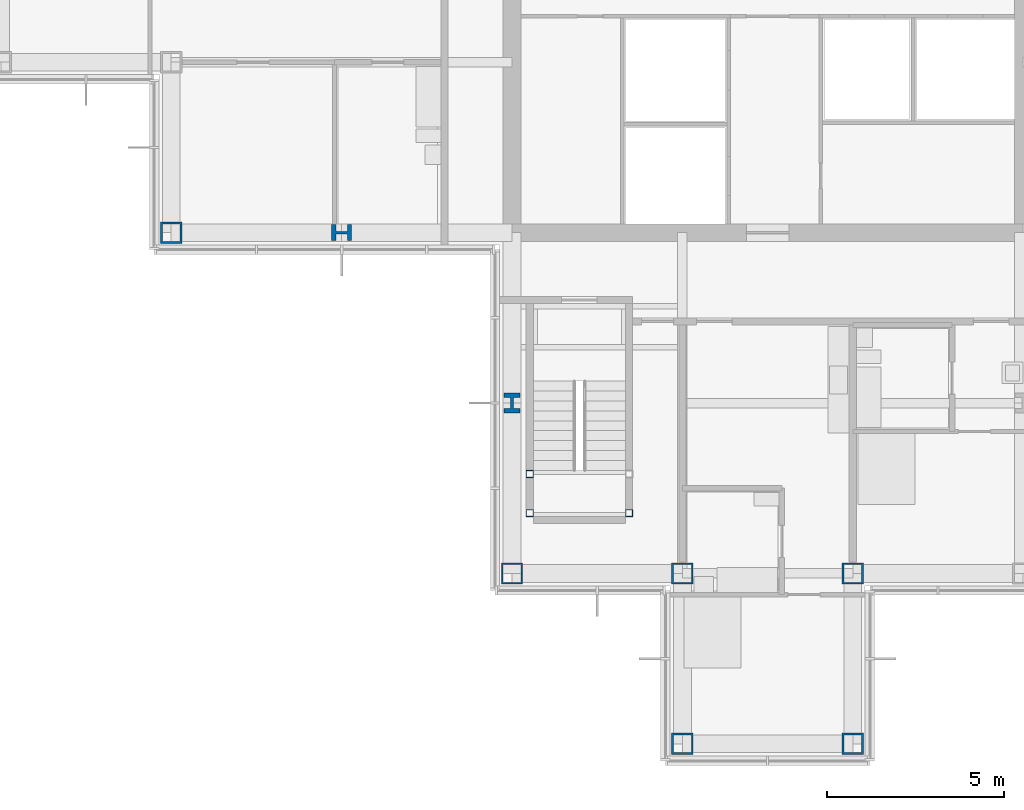
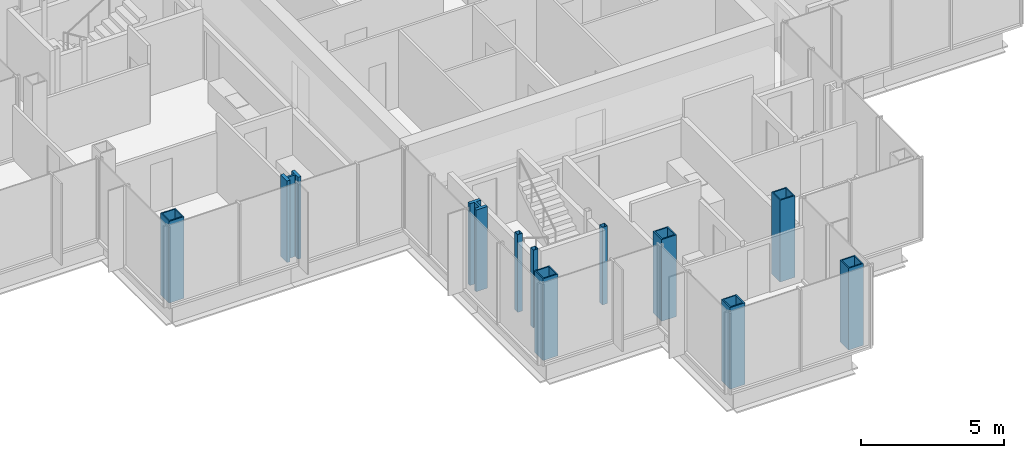
# One storey, part 1 of 15: 11 columns.
"""IFC4 building model written with IfcOpenShell, lengths in metres."""

from ifc_helpers import new_model, si_unit, direction, frame, origin, origin_2d, place, context, subcontext, project, spatial, hollow_rectangle, i_section, extrude, material, material_profile, profile_set, type_object, element, save


model = new_model("IFC4")

# Units and contexts
model_context = context("Model", 3, precision=1e-05, world=origin(), true_north=direction((0.0, 1.0)))
body_context = subcontext(model_context, "Body", "Model", "MODEL_VIEW")
ifc_project = project(units=[si_unit("LENGTHUNIT", "METRE"), si_unit("AREAUNIT", "SQUARE_METRE"), si_unit("VOLUMEUNIT", "CUBIC_METRE"), si_unit("PLANEANGLEUNIT", "RADIAN"), si_unit("MASSUNIT", "GRAM", prefix="KILO")], contexts=[model_context])

# Site, building, storey
site_placement = place(None, origin())
site = spatial("IfcSite", under=ifc_project, at=site_placement, CompositionType="ELEMENT")
building_placement = place(site_placement, origin())
building = spatial("IfcBuilding", under=site, at=building_placement, Name="Kvirike Care Tower", CompositionType="ELEMENT")
storey_placement = place(building_placement, frame((0.0, 0.0, 215.5)))
storey = spatial("IfcBuildingStorey", under=building, at=storey_placement, Name="L59", CompositionType="ELEMENT", Elevation=215.5)

# Columns
ifc_material_1 = material(Name="Steel S460", Category="steel")
ifc_material_profile_1 = material_profile(ifc_material_1, hollow_rectangle(XDim=0.60009765625, YDim=0.60009765625, WallThickness=0.050048828125, at=origin_2d()), Name="BX 600x600x50")
ifc_profile_set_1 = profile_set([ifc_material_profile_1], Name="Steel S460")
column_type_1 = type_object("IfcColumnType", Name="COLUMN BX 600x600x50", PredefinedType="COLUMN", material=ifc_profile_set_1)
for number, where, z_axis, x_axis, name in (
    (1, (4.800048828125, 28.800048828125, 0.0), (0.0, 0.0, 1.0), (0.0, 1.0, 0.0), "Column G4 L59"),
    (2, (14.39990234375, 19.199951171875, 0.0), (0.0, 0.0, 1.0), (0.0, 1.0, 0.0), "Column E6 L59"),
    (3, (19.199951171875, 14.39990234375, 0.0), (0.0, 0.0, 1.0), (0.0, 1.0, 0.0), "Column D7 L59"),
    (4, (19.199951171875, 19.199951171875, 0.0), (0.0, 0.0, 1.0), (0.0, 1.0, 0.0), "Column E7 L59"),
    (5, (24.0, 14.39990234375, 0.0), (0.0, 0.0, 1.0), (0.0, 1.0, 0.0), "Column D8 L59"),
    (6, (24.0, 19.199951171875, 0.0), (0.0, 0.0, 1.0), (0.0, 1.0, 0.0), "Column E8 L59"),
):
    element("IfcColumn", number, at=place(storey_placement, frame(where, z_axis=z_axis, x_axis=x_axis)), inside=storey, type_object=column_type_1, Name=name, PredefinedType="COLUMN", context=body_context, shape_type="SweptSolid", body=[
        extrude(hollow_rectangle(XDim=0.60009765625, YDim=0.60009765625, WallThickness=0.050048828125, at=origin_2d()), origin(), (0.0, 0.0, 1.0), 3.5),
    ])
ifc_material_2 = material(Name="Steel S460", Category="steel")
ifc_material_profile_2 = material_profile(ifc_material_2, i_section(OverallWidth=0.4541015625, OverallDepth=0.569091796875, WebThickness=0.077880859375, FlangeThickness=0.125, FilletRadius=0.014892578125, at=origin_2d()), Name="HD 400x1086")
ifc_profile_set_2 = profile_set([ifc_material_profile_2], Name="Steel S460")
column_type_2 = type_object("IfcColumnType", Name="COLUMN HD 400x1086", PredefinedType="COLUMN", material=ifc_profile_set_2)
for number, where, z_axis, x_axis, name in (
    (7, (9.60009765625, 28.800048828125, 0.0), (0.0, 0.0, 1.0), (0.0, 1.0, 0.0), "Column G5 L59"),
    (8, (14.39990234375, 24.0, 0.0), (0.0, 0.0, 1.0), (1.0, 0.0, 0.0), "Column F6 L59"),
):
    element("IfcColumn", number, at=place(storey_placement, frame(where, z_axis=z_axis, x_axis=x_axis)), inside=storey, type_object=column_type_2, Name=name, PredefinedType="COLUMN", context=body_context, shape_type="SweptSolid", body=[
        extrude(i_section(OverallWidth=0.4541015625, OverallDepth=0.569091796875, WebThickness=0.077880859375, FlangeThickness=0.125, FilletRadius=0.014892578125, at=origin_2d()), origin(), (0.0, 0.0, 1.0), 3.5),
    ])
ifc_material_3 = material(Name="Steel S460", Category="steel")
ifc_material_profile_3 = material_profile(ifc_material_3, hollow_rectangle(XDim=0.199951171875, YDim=0.199951171875, WallThickness=0.008056640625, at=origin_2d()), Name="SHS 200x200x8")
ifc_profile_set_3 = profile_set([ifc_material_profile_3], Name="Steel S460")
column_type_3 = type_object("IfcColumnType", Name="STAIR POST SHS 200x200x8", PredefinedType="COLUMN", material=ifc_profile_set_3)
for number, where, z_axis, x_axis, name in (
    (9, (14.89990234375, 20.89990234375, 0.0), (0.0, 0.0, 1.0), (1.0, 0.0, 0.0), "Stair 5 post 1 L59"),
    (10, (17.699951171875, 20.89990234375, 0.0), (0.0, 0.0, 1.0), (1.0, 0.0, 0.0), "Stair 5 post 2 L59"),
    (11, (14.89990234375, 22.0, 0.0), (0.0, 0.0, 1.0), (1.0, 0.0, 0.0), "Stair 5 post 3 L59"),
):
    element("IfcColumn", number, at=place(storey_placement, frame(where, z_axis=z_axis, x_axis=x_axis)), inside=storey, type_object=column_type_3, Name=name, PredefinedType="COLUMN", context=body_context, shape_type="SweptSolid", body=[
        extrude(hollow_rectangle(XDim=0.199951171875, YDim=0.199951171875, WallThickness=0.008056640625, at=origin_2d()), origin(), (0.0, 0.0, 1.0), 3.330078125),
    ])

save(model, "model.ifc")
